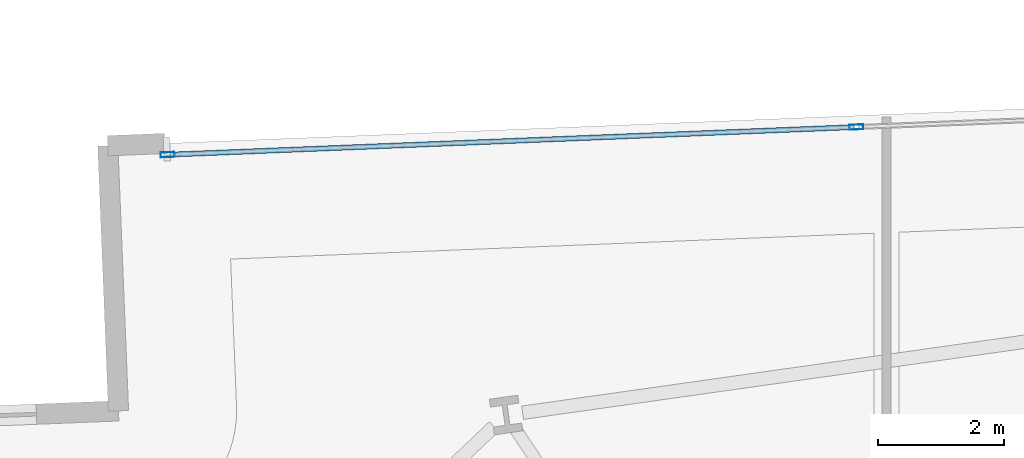
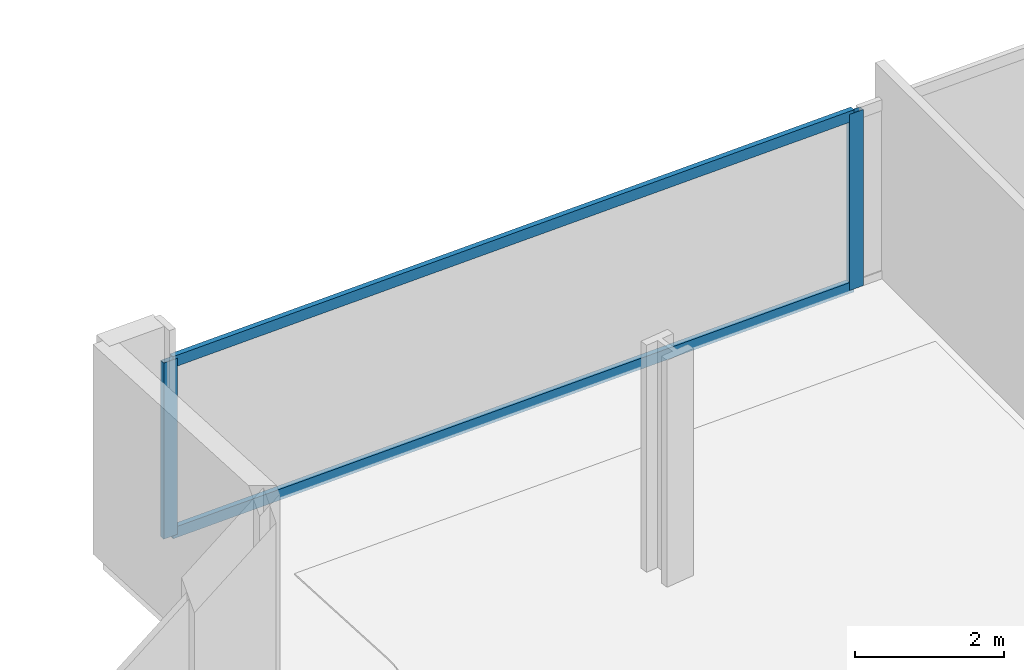
# One storey, part 18 of 32: 4 members, 1 element without a shape of its own.
"""IFC4 building model written with IfcOpenShell, lengths in metres."""

from ifc_helpers import new_model, si_unit, direction, frame, origin, origin_2d, place, context, subcontext, project, spatial, hollow_rectangle, extrude, material, material_profile, profile_set, type_object, element, aggregate, save


model = new_model("IFC4")

# Units and contexts
model_context = context("Model", 3, precision=1e-05, world=origin(), true_north=direction((0.0, 1.0)))
body_context = subcontext(model_context, "Body", "Model", "MODEL_VIEW")
ifc_project = project(units=[si_unit("LENGTHUNIT", "METRE"), si_unit("AREAUNIT", "SQUARE_METRE"), si_unit("VOLUMEUNIT", "CUBIC_METRE"), si_unit("PLANEANGLEUNIT", "RADIAN"), si_unit("MASSUNIT", "GRAM", prefix="KILO")], contexts=[model_context])

# Site, building, storey
site_placement = place(None, origin())
site = spatial("IfcSite", under=ifc_project, at=site_placement, CompositionType="ELEMENT")
building_placement = place(site_placement, origin())
building = spatial("IfcBuilding", under=site, at=building_placement, Name="Haldenkirk Collegiate Tower", CompositionType="ELEMENT")
storey_placement = place(building_placement, frame((0.0, 0.0, 36.449951171875)))
storey = spatial("IfcBuildingStorey", under=building, at=storey_placement, Name="L07", CompositionType="ELEMENT", Elevation=36.449951171875)

# Curtain wall, members
ifc_material = material(Name="Anodised architectural bronze aluminium", Category="aluminium")
curtain_wall_type = type_object("IfcCurtainWallType", Name="CW-SYS1-CONVEX-LOW", PredefinedType="USERDEFINED", material=ifc_material)
curtain_wall_placement = place(storey_placement, origin())
curtain_wall = element("IfcCurtainWall", 1, at=curtain_wall_placement, inside=storey, type_object=curtain_wall_type, Name="L07 Lower tower convex bronze-framed unitised curtain wall", ObjectType="UNITISED CURTAIN WALL", PredefinedType="USERDEFINED")
ifc_material_profile_1 = material_profile(ifc_material, hollow_rectangle(XDim=0.080078125, YDim=0.219970703125, WallThickness=0.0048828125, at=origin_2d()), Name="CW-MUL-1A")
ifc_profile_set_1 = profile_set([ifc_material_profile_1], Name="Anodised architectural bronze aluminium")
member_type_1 = type_object("IfcMemberType", Name="CW-MUL-1A", PredefinedType="MULLION", material=ifc_profile_set_1)
member_1_placement = place(storey_placement, frame((13.121337890625, 50.921875, 0.0), z_axis=(0.0, 0.0, 1.0), x_axis=(-0.04013471179, 0.999194277861, 0.0)))
member_1 = element("IfcMember", 2, at=member_1_placement, type_object=member_type_1, Name="CW-1A mullion 1", PredefinedType="MULLION", context=body_context, shape_type="SweptSolid", body=[
    extrude(hollow_rectangle(XDim=0.080078125, YDim=0.219970703125, WallThickness=0.0048828125, at=origin_2d()), origin(), (0.0, 0.0, 1.0), 2.89111328125),
])
member_2_placement = place(storey_placement, frame((24.0224609375, 51.359619140625, 0.0), z_axis=(0.0, 0.0, 1.0), x_axis=(-0.04013471179, 0.999194277861, 0.0)))
member_2 = element("IfcMember", 3, at=member_2_placement, type_object=member_type_1, Name="CW-1A mullion 2", PredefinedType="MULLION", context=body_context, shape_type="SweptSolid", body=[
    extrude(hollow_rectangle(XDim=0.080078125, YDim=0.219970703125, WallThickness=0.0048828125, at=origin_2d()), origin(), (0.0, 0.0, 1.0), 2.89111328125),
])
ifc_material_profile_2 = material_profile(ifc_material, hollow_rectangle(XDim=0.080078125, YDim=0.179931640625, WallThickness=0.0048828125, at=origin_2d()), Name="CW-TRN-1A")
ifc_profile_set_2 = profile_set([ifc_material_profile_2], Name="Anodised architectural bronze aluminium")
member_type_2 = type_object("IfcMemberType", Name="CW-TRN-1A", PredefinedType="USERDEFINED", material=ifc_profile_set_2)
member_3_placement = place(storey_placement, frame((13.161376953125, 50.92333984375, 0.0400390625), z_axis=(0.999193704105, 0.04014899348, 0.0), x_axis=(-0.04014899348, 0.999193704105, 0.0)))
member_3 = element("IfcMember", 4, at=member_3_placement, type_object=member_type_2, Name="CW-1A transom 1.1", ObjectType="TRANSOM", PredefinedType="USERDEFINED", context=body_context, shape_type="SweptSolid", body=[
    extrude(hollow_rectangle(XDim=0.080078125, YDim=0.179931640625, WallThickness=0.0048828125, at=origin_2d()), origin(), (0.0, 0.0, 1.0), 10.830078125),
])
member_4_placement = place(storey_placement, frame((13.161376953125, 50.92333984375, 2.85107421875), z_axis=(0.999193704105, 0.04014899348, 0.0), x_axis=(-0.04014899348, 0.999193704105, 0.0)))
member_4 = element("IfcMember", 5, at=member_4_placement, type_object=member_type_2, Name="CW-1A transom 1.2", ObjectType="TRANSOM", PredefinedType="USERDEFINED", context=body_context, shape_type="SweptSolid", body=[
    extrude(hollow_rectangle(XDim=0.080078125, YDim=0.179931640625, WallThickness=0.0048828125, at=origin_2d()), origin(), (0.0, 0.0, 1.0), 10.830078125),
])
aggregate(curtain_wall, [member_1, member_2, member_3, member_4])

save(model, "model.ifc")
